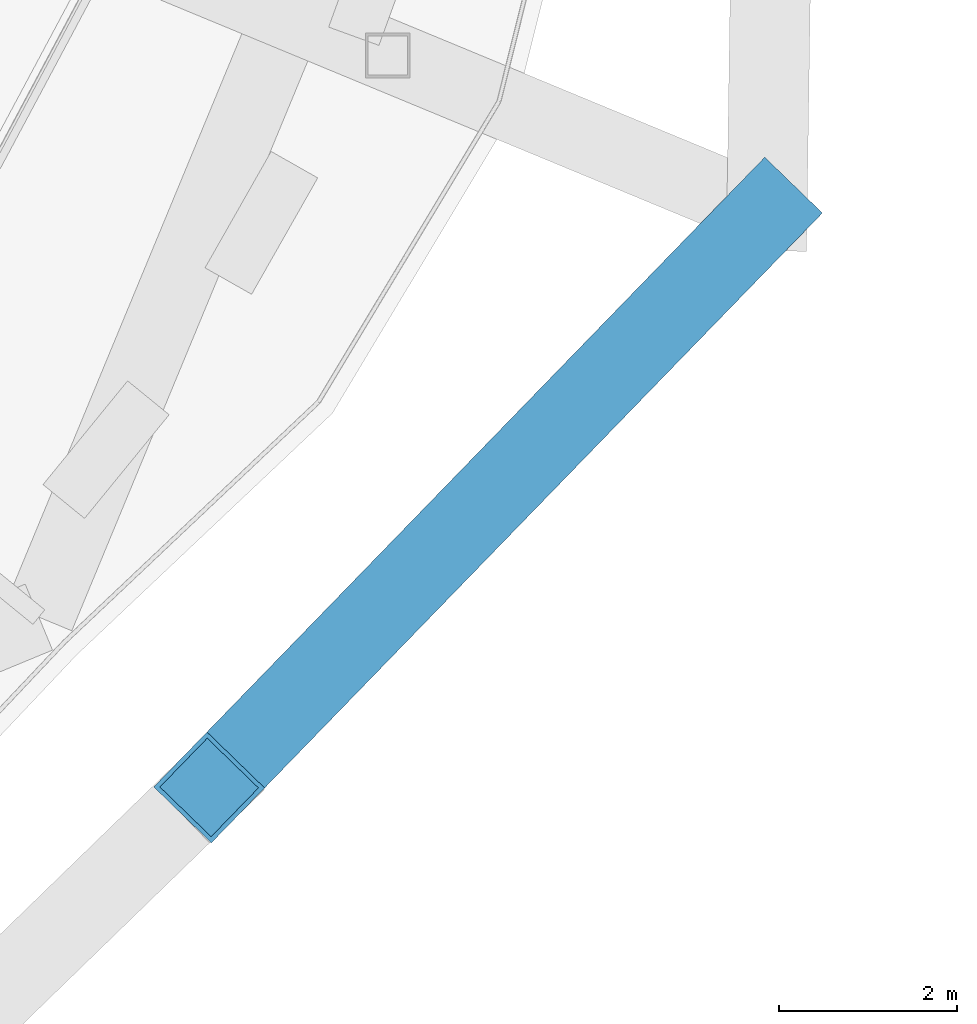
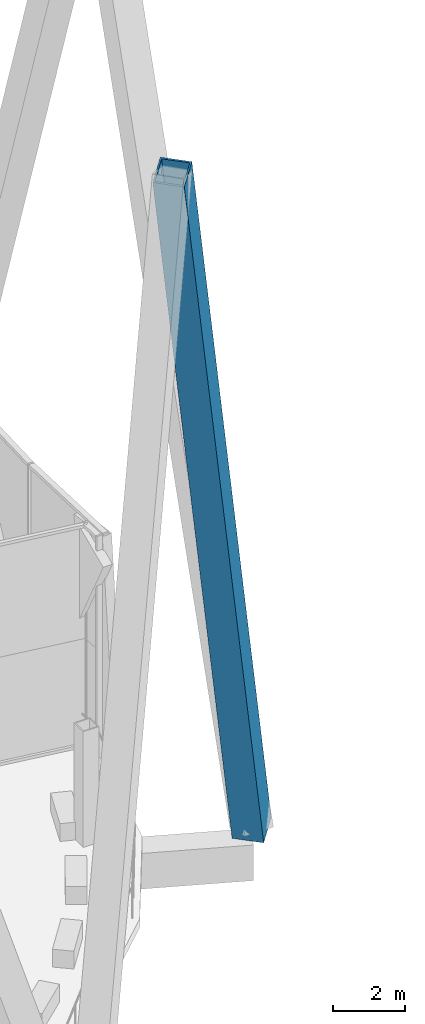
# One storey, part 12 of 53: 1 member.
"""IFC4 building model written with IfcOpenShell, lengths in metres."""

from ifc_helpers import new_model, si_unit, direction, frame, origin, origin_2d, place, context, subcontext, project, spatial, hollow_rectangle, extrude, material, material_profile, profile_set, type_object, element, save


model = new_model("IFC4")

# Units and contexts
model_context = context("Model", 3, precision=1e-05, world=origin(), true_north=direction((0.0, 1.0)))
body_context = subcontext(model_context, "Body", "Model", "MODEL_VIEW")
ifc_project = project(units=[si_unit("LENGTHUNIT", "METRE"), si_unit("AREAUNIT", "SQUARE_METRE"), si_unit("VOLUMEUNIT", "CUBIC_METRE"), si_unit("PLANEANGLEUNIT", "RADIAN"), si_unit("MASSUNIT", "GRAM", prefix="KILO")], contexts=[model_context])

# Site, building, storey
site_placement = place(None, origin())
site = spatial("IfcSite", under=ifc_project, at=site_placement, CompositionType="ELEMENT")
building_placement = place(site_placement, origin())
building = spatial("IfcBuilding", under=site, at=building_placement, Name="Ogive Gate Towers", CompositionType="ELEMENT")
storey_placement = place(building_placement, frame((0.0, 0.0, 240.60009765625)))
storey = spatial("IfcBuildingStorey", under=building, at=storey_placement, Name="L57", CompositionType="ELEMENT", Elevation=240.60009765625)

# Member
ifc_material = material(Name="Steel SM460", Category="steel")
ifc_material_profile = material_profile(ifc_material, hollow_rectangle(XDim=0.89990234375, YDim=0.89990234375, WallThickness=0.050048828125, at=origin_2d()), Name="BX 900x900x50")
ifc_profile_set = profile_set([ifc_material_profile], Name="Steel SM460")
member_type = type_object("IfcMemberType", Name="Diagrid diagonal BX 900x900x50", PredefinedType="BRACE", material=ifc_profile_set)
member_placement = place(storey_placement, frame((-14.32568359375, -8.977783203125, 0.0), z_axis=(-0.211259451685, -0.217751746913, 0.952866003586), x_axis=(0.717725362087, -0.696326291775, 0.0)))
element("IfcMember", 1, at=member_placement, inside=storey, type_object=member_type, Name="T1/L57/SDG015", PredefinedType="BRACE", context=body_context, shape_type="SweptSolid", body=[
    extrude(hollow_rectangle(XDim=0.89990234375, YDim=0.89990234375, WallThickness=0.050048828125, at=origin_2d()), origin(), (0.0, 0.0, 1.0), 29.594970703125),
])

save(model, "model.ifc")
